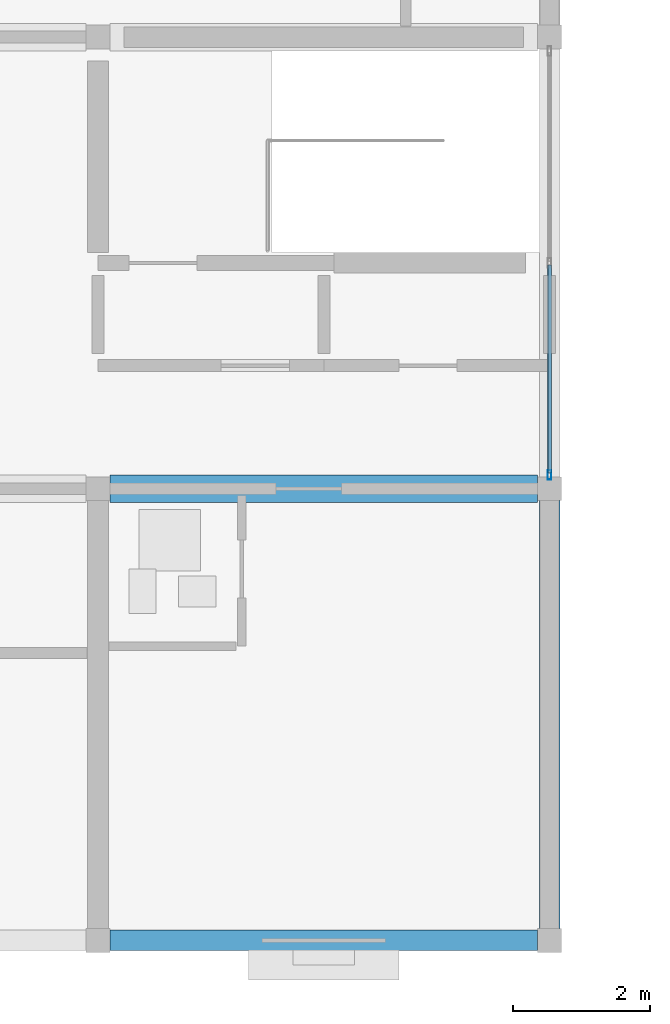
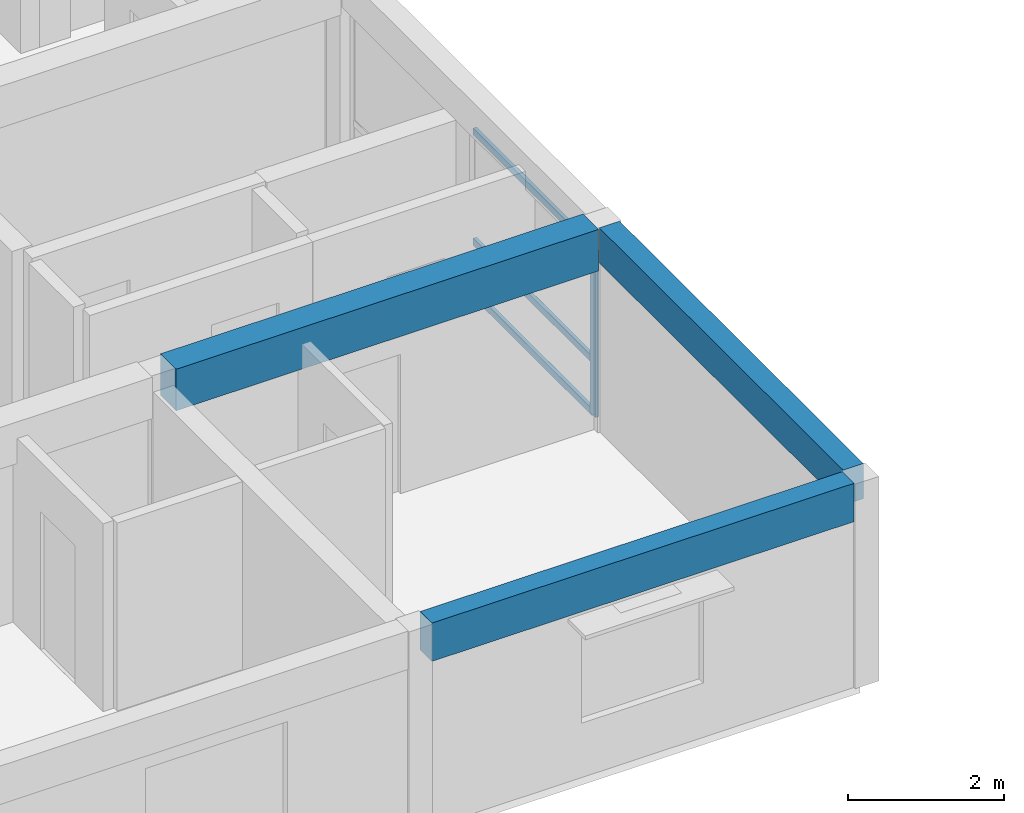
# One storey, part 8 of 49: 4 members, 3 beams, 1 element without a shape of its own.
"""IFC4 building model written with IfcOpenShell, lengths in metres."""

from ifc_helpers import new_model, si_unit, direction, frame, origin, origin_2d, place, context, subcontext, project, spatial, rectangle, hollow_rectangle, extrude, material, material_profile, profile_set, type_object, element, aggregate, save


model = new_model("IFC4")

# Units and contexts
model_context = context("Model", 3, precision=1e-05, world=origin(), true_north=direction((0.0, 1.0)))
body_context = subcontext(model_context, "Body", "Model", "MODEL_VIEW")
ifc_project = project(units=[si_unit("LENGTHUNIT", "METRE"), si_unit("AREAUNIT", "SQUARE_METRE"), si_unit("VOLUMEUNIT", "CUBIC_METRE"), si_unit("PLANEANGLEUNIT", "RADIAN"), si_unit("MASSUNIT", "GRAM", prefix="KILO")], contexts=[model_context])

# Site, building, storey
site_placement = place(None, origin())
site = spatial("IfcSite", under=ifc_project, at=site_placement, CompositionType="ELEMENT")
building_placement = place(site_placement, origin())
building = spatial("IfcBuilding", under=site, at=building_placement, Name="Kernevlak Ridge Housing Community", CompositionType="ELEMENT")
storey_placement = place(building_placement, frame((0.0, 0.0, 30.800048828125)))
storey = spatial("IfcBuildingStorey", under=building, at=storey_placement, Name="L09", CompositionType="ELEMENT", Elevation=30.800048828125)

# Beam
ifc_material_1 = material(Name="Concrete C35/45", Category="concrete")
ifc_material_profile_1 = material_profile(ifc_material_1, rectangle(XDim=0.39990234375, YDim=0.64990234375, at=origin_2d()), Name="RC 400x650")
ifc_profile_set_1 = profile_set([ifc_material_profile_1], Name="Concrete C35/45")
beam_type_1 = type_object("IfcBeamType", Name="B-03", PredefinedType="T_BEAM", material=ifc_profile_set_1)
beam_1_placement = place(storey_placement, frame((28.97509765625, 22.199951171875, 2.875), z_axis=(1.0, 0.0, 0.0), x_axis=(0.0, 1.0, 0.0)))
element("IfcBeam", 1, at=beam_1_placement, inside=storey, type_object=beam_type_1, Name="Beam B-03 L09 1520", PredefinedType="T_BEAM", context=body_context, shape_type="SweptSolid", body=[
    extrude(rectangle(XDim=0.39990234375, YDim=0.64990234375, at=origin_2d()), origin(), (0.0, 0.0, 1.0), 6.25),
])

# Curtain wall, member
ifc_material_2 = material(Name="Aluminium EN AW-6060 anodised and laminated glass", Category="aluminium")
curtain_wall_type = type_object("IfcCurtainWallType", Name="CW-03", PredefinedType="NOTDEFINED", material=ifc_material_2)
curtain_wall_placement = place(storey_placement, origin())
curtain_wall = element("IfcCurtainWall", 2, at=curtain_wall_placement, inside=storey, type_object=curtain_wall_type, Name="Curtain wall CW-03 CW-L09-168", PredefinedType="NOTDEFINED")
ifc_material_3 = material(Name="Aluminium EN AW-6060 anodised", Category="aluminium")
ifc_material_profile_2 = material_profile(ifc_material_3, hollow_rectangle(XDim=0.054931640625, YDim=0.139892578125, WallThickness=0.00390625, InnerFilletRadius=0.001953125, OuterFilletRadius=0.00390625, at=origin_2d()), Name="ALU 55x140x4")
ifc_profile_set_2 = profile_set([ifc_material_profile_2], Name="Aluminium EN AW-6060 anodised")
member_type_1 = type_object("IfcMemberType", Name="MU-01", PredefinedType="MULLION", material=ifc_profile_set_2)
member_1_placement = place(storey_placement, frame((35.39990234375, 22.402587890625, 0.0), z_axis=(0.0, 0.0, 1.0), x_axis=(-1.0, 0.0, 0.0)))
member_1 = element("IfcMember", 3, at=member_1_placement, type_object=member_type_1, Name="CW-03 mullion 1", PredefinedType="MULLION", context=body_context, shape_type="SweptSolid", body=[
    extrude(hollow_rectangle(XDim=0.054931640625, YDim=0.139892578125, WallThickness=0.00390625, InnerFilletRadius=0.001953125, OuterFilletRadius=0.00390625, at=origin_2d()), origin(), (0.0, 0.0, 1.0), 2.599853515625),
])

# Beams
ifc_material_profile_3 = material_profile(ifc_material_1, rectangle(XDim=0.300048828125, YDim=0.550048828125, at=origin_2d()), Name="RC 300x550")
ifc_profile_set_3 = profile_set([ifc_material_profile_3], Name="Concrete C35/45")
beam_type_2 = type_object("IfcBeamType", Name="SP-01", PredefinedType="SPANDREL", material=ifc_profile_set_3)
beam_2_placement = place(storey_placement, frame((35.39990234375, 15.77490234375, 2.925048828125), z_axis=(0.0, 1.0, 0.0), x_axis=(-1.0, 0.0, 0.0)))
element("IfcBeam", 4, at=beam_2_placement, inside=storey, type_object=beam_type_2, Name="Beam SP-01 L09 1530", PredefinedType="SPANDREL", context=body_context, shape_type="SweptSolid", body=[
    extrude(rectangle(XDim=0.300048828125, YDim=0.550048828125, at=origin_2d()), origin(), (0.0, 0.0, 1.0), 6.25),
])
ifc_material_profile_4 = material_profile(ifc_material_1, rectangle(XDim=0.300048828125, YDim=0.60009765625, at=origin_2d()), Name="RC 300x600")
ifc_profile_set_4 = profile_set([ifc_material_profile_4], Name="Concrete C35/45")
beam_type_3 = type_object("IfcBeamType", Name="SP-02", PredefinedType="SPANDREL", material=ifc_profile_set_4)
beam_3_placement = place(storey_placement, frame((28.97509765625, 15.60009765625, 2.89990234375), z_axis=(1.0, 0.0, 0.0), x_axis=(0.0, 1.0, 0.0)))
element("IfcBeam", 5, at=beam_3_placement, inside=storey, type_object=beam_type_3, Name="Beam SP-02 L09 1517", PredefinedType="SPANDREL", context=body_context, shape_type="SweptSolid", body=[
    extrude(rectangle(XDim=0.300048828125, YDim=0.60009765625, at=origin_2d()), origin(), (0.0, 0.0, 1.0), 6.25),
])

# Member
ifc_material_profile_5 = material_profile(ifc_material_3, hollow_rectangle(XDim=0.054931640625, YDim=0.110107421875, WallThickness=0.00390625, InnerFilletRadius=0.001953125, OuterFilletRadius=0.00390625, at=origin_2d()), Name="ALU 55x110x4")
ifc_profile_set_5 = profile_set([ifc_material_profile_5], Name="Aluminium EN AW-6060 anodised")
member_type_2 = type_object("IfcMemberType", Name="TM-01", PredefinedType="USERDEFINED", material=ifc_profile_set_5)
member_2_placement = place(storey_placement, frame((35.39990234375, 22.429931640625, 0.02734375), z_axis=(0.0, 1.0, 0.0), x_axis=(-1.0, 0.0, 0.0)))
member_2 = element("IfcMember", 6, at=member_2_placement, type_object=member_type_2, Name="CW-03 transom 1.1", ObjectType="TRANSOM", PredefinedType="USERDEFINED", context=body_context, shape_type="SweptSolid", body=[
    extrude(hollow_rectangle(XDim=0.054931640625, YDim=0.110107421875, WallThickness=0.00390625, InnerFilletRadius=0.001953125, OuterFilletRadius=0.00390625, at=origin_2d()), origin(), (0.0, 0.0, 1.0), 3.04248046875),
])

member_3_placement = place(storey_placement, frame((35.39990234375, 22.429931640625, 0.849853515625), z_axis=(0.0, 1.0, 0.0), x_axis=(-1.0, 0.0, 0.0)))
member_3 = element("IfcMember", 7, at=member_3_placement, type_object=member_type_2, Name="CW-03 transom 1.2", ObjectType="TRANSOM", PredefinedType="USERDEFINED", context=body_context, shape_type="SweptSolid", body=[
    extrude(hollow_rectangle(XDim=0.054931640625, YDim=0.110107421875, WallThickness=0.00390625, InnerFilletRadius=0.001953125, OuterFilletRadius=0.00390625, at=origin_2d()), origin(), (0.0, 0.0, 1.0), 3.04248046875),
])

member_4_placement = place(storey_placement, frame((35.39990234375, 22.429931640625, 2.572509765625), z_axis=(0.0, 1.0, 0.0), x_axis=(-1.0, 0.0, 0.0)))
member_4 = element("IfcMember", 8, at=member_4_placement, type_object=member_type_2, Name="CW-03 transom 1.3", ObjectType="TRANSOM", PredefinedType="USERDEFINED", context=body_context, shape_type="SweptSolid", body=[
    extrude(hollow_rectangle(XDim=0.054931640625, YDim=0.110107421875, WallThickness=0.00390625, InnerFilletRadius=0.001953125, OuterFilletRadius=0.00390625, at=origin_2d()), origin(), (0.0, 0.0, 1.0), 3.04248046875),
])

aggregate(curtain_wall, [member_1, member_2, member_3, member_4])

save(model, "model.ifc")
